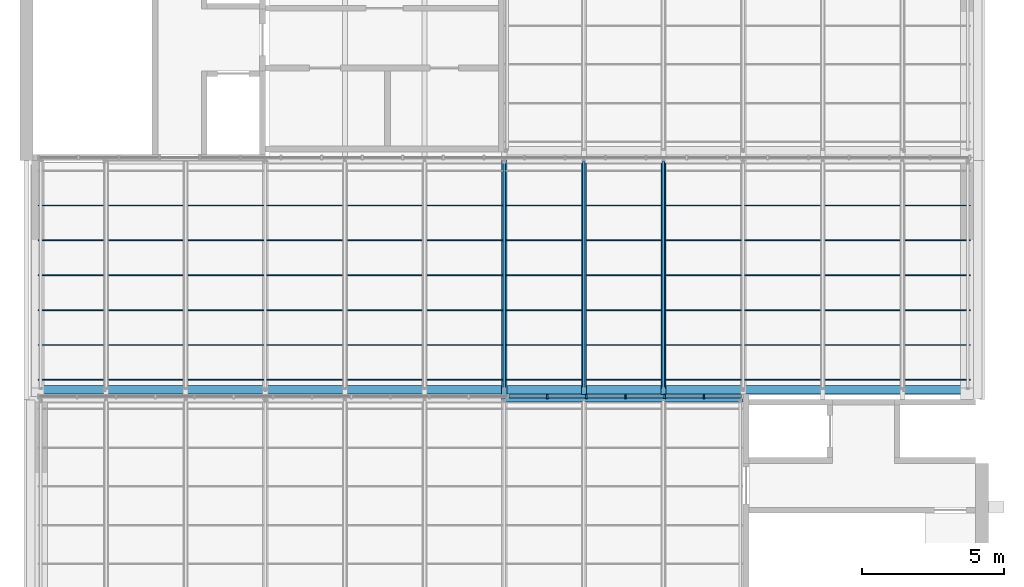
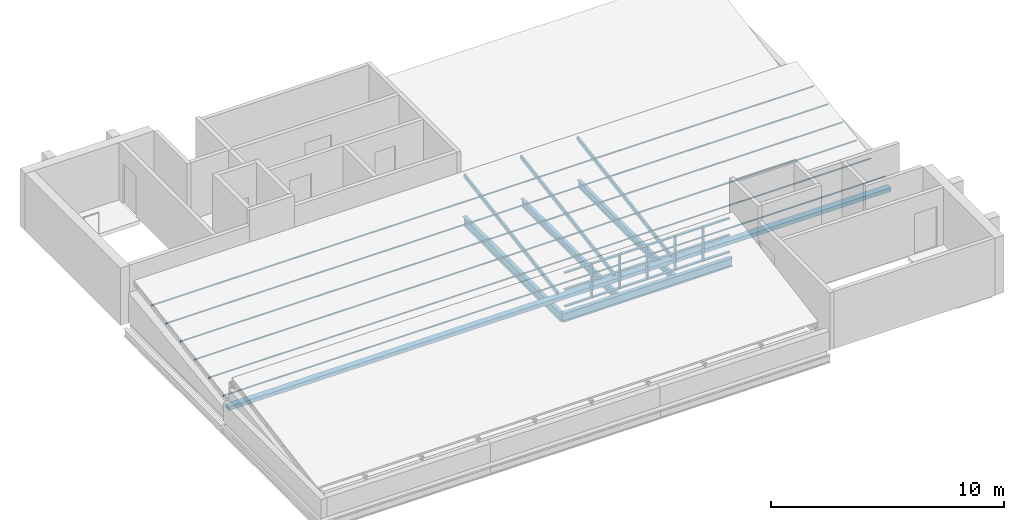
# One storey, part 5 of 33: 33 members, 4 beams, 1 element without a shape of its own.
"""IFC4 building model written with IfcOpenShell, lengths in metres."""

from ifc_helpers import new_model, si_unit, direction, frame, origin, origin_2d, place, context, subcontext, project, spatial, rectangle, hollow_rectangle, i_section, extrude, material, layer, layer_set, material_profile, profile_set, type_object, element, aggregate, save


model = new_model("IFC4")

# Units and contexts
model_context = context("Model", 3, precision=1e-05, world=origin(), true_north=direction((0.0, 1.0)))
body_context = subcontext(model_context, "Body", "Model", "MODEL_VIEW")
ifc_project = project(units=[si_unit("LENGTHUNIT", "METRE"), si_unit("AREAUNIT", "SQUARE_METRE"), si_unit("VOLUMEUNIT", "CUBIC_METRE"), si_unit("PLANEANGLEUNIT", "RADIAN"), si_unit("MASSUNIT", "GRAM", prefix="KILO")], contexts=[model_context])

# Site, building, storey
site_placement = place(None, origin())
site = spatial("IfcSite", under=ifc_project, at=site_placement, CompositionType="ELEMENT")
building_placement = place(site_placement, origin())
building = spatial("IfcBuilding", under=site, at=building_placement, Name="Ardhachandra Cancer Care Centre", CompositionType="ELEMENT")
storey_placement = place(building_placement, frame((0.0, 0.0, 27.0)))
storey = spatial("IfcBuildingStorey", under=building, at=storey_placement, Name="Roof", CompositionType="ELEMENT", Elevation=27.0)

# Beams
ifc_material_1 = material(Name="Steel E350 (IS 2062)", Category="steel")
ifc_material_profile_1 = material_profile(ifc_material_1, i_section(OverallWidth=0.172119140625, OverallDepth=0.364013671875, WebThickness=0.00927734375, FlangeThickness=0.0146484375, FilletRadius=0.01806640625, at=origin_2d()), Name="NPB 350x170x66.04")
ifc_profile_set_1 = profile_set([ifc_material_profile_1], Name="Steel E350 (IS 2062)")
beam_type_1 = type_object("IfcBeamType", Name="Beam NPB 350x170x66.04", PredefinedType="BEAM", material=ifc_profile_set_1)
for number, where, z_axis, x_axis, name in (
    (1, (131.199951171875, 88.2958984375, -0.382080078125), (0.0, 1.0, 0.0), (-1.0, 0.0, 0.0), "Secondary K15-L15@2800"),
    (2, (134.0, 88.2958984375, -0.382080078125), (0.0, 1.0, 0.0), (-1.0, 0.0, 0.0), "Secondary K15-L15@5600"),
):
    element("IfcBeam", number, at=place(storey_placement, frame(where, z_axis=z_axis, x_axis=x_axis)), inside=storey, type_object=beam_type_1, Name=name, PredefinedType="BEAM", context=body_context, shape_type="SweptSolid", body=[
        extrude(i_section(OverallWidth=0.172119140625, OverallDepth=0.364013671875, WebThickness=0.00927734375, FlangeThickness=0.0146484375, FilletRadius=0.01806640625, at=origin_2d()), origin(), (0.0, 0.0, 1.0), 8.2080078125),
    ])
ifc_material_2 = material(Name="Steel E350 (IS 2062)", Category="steel")
ifc_material_profile_2 = material_profile(ifc_material_2, i_section(OverallWidth=0.19189453125, OverallDepth=0.4560546875, WebThickness=0.010986328125, FlangeThickness=0.017578125, FilletRadius=0.02099609375, at=origin_2d()), Name="NPB 450x190x92.36")
ifc_profile_set_2 = profile_set([ifc_material_profile_2], Name="Steel E350 (IS 2062)")
beam_type_2 = type_object("IfcBeamType", Name="Beam NPB 450x190x92.36", PredefinedType="BEAM", material=ifc_profile_set_2)
for number, where, z_axis, x_axis, name in (
    (3, (128.39990234375, 88.199951171875, -0.427978515625), (1.0, 0.0, 0.0), (0.0, 1.0, 0.0), "Girder K15-K16"),
    (4, (128.39990234375, 88.199951171875, -0.427978515625), (0.0, 1.0, 0.0), (-1.0, 0.0, 0.0), "Girder K15-L15"),
):
    element("IfcBeam", number, at=place(storey_placement, frame(where, z_axis=z_axis, x_axis=x_axis)), inside=storey, type_object=beam_type_2, Name=name, PredefinedType="BEAM", context=body_context, shape_type="SweptSolid", body=[
        extrude(i_section(OverallWidth=0.19189453125, OverallDepth=0.4560546875, WebThickness=0.010986328125, FlangeThickness=0.017578125, FilletRadius=0.02099609375, at=origin_2d()), origin(), (0.0, 0.0, 1.0), 8.400146484375),
    ])

# Curtain wall, members
ifc_material_3 = material(Name="Aluminium extrusion", Category="aluminium")
ifc_layer = layer(ifc_material_3, 0.14990234375)
ifc_layer_set = layer_set([ifc_layer], Name="Aluminium extrusion")
curtain_wall_type = type_object("IfcCurtainWallType", Name="Curtain wall run", PredefinedType="NOTDEFINED", material=ifc_layer_set)
curtain_wall_placement = place(storey_placement, origin())
curtain_wall = element("IfcCurtainWall", 5, at=curtain_wall_placement, inside=storey, type_object=curtain_wall_type, Name="Curtain wall Roof n/0112000_0088300", PredefinedType="NOTDEFINED")
ifc_material_4 = material(Name="Aluminium extrusion", Category="aluminium")
ifc_material_profile_3 = material_profile(ifc_material_4, rectangle(XDim=0.159912109375, YDim=0.06005859375, at=origin_2d()), Name="Curtain wall mullion 60 x 160")
ifc_profile_set_3 = profile_set([ifc_material_profile_3], Name="Aluminium extrusion")
member_type_1 = type_object("IfcMemberType", Name="Curtain wall mullion 60 x 160", PredefinedType="MULLION", material=ifc_profile_set_3)
member_1_placement = place(storey_placement, frame((129.9111328125, 88.300048828125, 0.0), z_axis=(0.0, 0.0, 1.0), x_axis=(0.0, 1.0, 0.0)))
member_1 = element("IfcMember", 6, at=member_1_placement, type_object=member_type_1, Name="CW mullion 14", PredefinedType="MULLION", context=body_context, shape_type="SweptSolid", body=[
    extrude(rectangle(XDim=0.159912109375, YDim=0.06005859375, at=origin_2d()), origin(), (0.0, 0.0, 1.0), 1.820068359375),
])
member_2_placement = place(storey_placement, frame((131.288818359375, 88.300048828125, 0.0), z_axis=(0.0, 0.0, 1.0), x_axis=(0.0, 1.0, 0.0)))
member_2 = element("IfcMember", 7, at=member_2_placement, type_object=member_type_1, Name="CW mullion 15", PredefinedType="MULLION", context=body_context, shape_type="SweptSolid", body=[
    extrude(rectangle(XDim=0.159912109375, YDim=0.06005859375, at=origin_2d()), origin(), (0.0, 0.0, 1.0), 1.820068359375),
])
member_3_placement = place(storey_placement, frame((132.666748046875, 88.300048828125, 0.0), z_axis=(0.0, 0.0, 1.0), x_axis=(0.0, 1.0, 0.0)))
member_3 = element("IfcMember", 8, at=member_3_placement, type_object=member_type_1, Name="CW mullion 16", PredefinedType="MULLION", context=body_context, shape_type="SweptSolid", body=[
    extrude(rectangle(XDim=0.159912109375, YDim=0.06005859375, at=origin_2d()), origin(), (0.0, 0.0, 1.0), 1.820068359375),
])
member_4_placement = place(storey_placement, frame((134.04443359375, 88.300048828125, 0.0), z_axis=(0.0, 0.0, 1.0), x_axis=(0.0, 1.0, 0.0)))
member_4 = element("IfcMember", 9, at=member_4_placement, type_object=member_type_1, Name="CW mullion 17", PredefinedType="MULLION", context=body_context, shape_type="SweptSolid", body=[
    extrude(rectangle(XDim=0.159912109375, YDim=0.06005859375, at=origin_2d()), origin(), (0.0, 0.0, 1.0), 1.820068359375),
])
member_5_placement = place(storey_placement, frame((135.422119140625, 88.300048828125, 0.0), z_axis=(0.0, 0.0, 1.0), x_axis=(0.0, 1.0, 0.0)))
member_5 = element("IfcMember", 10, at=member_5_placement, type_object=member_type_1, Name="CW mullion 18", PredefinedType="MULLION", context=body_context, shape_type="SweptSolid", body=[
    extrude(rectangle(XDim=0.159912109375, YDim=0.06005859375, at=origin_2d()), origin(), (0.0, 0.0, 1.0), 1.820068359375),
])
ifc_material_5 = material(Name="Aluminium extrusion", Category="aluminium")
ifc_material_profile_4 = material_profile(ifc_material_5, rectangle(XDim=0.1201171875, YDim=0.06005859375, at=origin_2d()), Name="Curtain wall transom 60 x 120")
ifc_profile_set_4 = profile_set([ifc_material_profile_4], Name="Aluminium extrusion")
member_type_2 = type_object("IfcMemberType", Name="Curtain wall transom 60 x 120", PredefinedType="USERDEFINED", material=ifc_profile_set_4)
member_6_placement = place(storey_placement, frame((128.563232421875, 88.300048828125, 0.030029296875), z_axis=(1.0, 0.0, 0.0), x_axis=(0.0, 1.0, 0.0)))
member_6 = element("IfcMember", 11, at=member_6_placement, type_object=member_type_2, Name="CW transom 13.1", ObjectType="TRANSOM", PredefinedType="USERDEFINED", context=body_context, shape_type="SweptSolid", body=[
    extrude(rectangle(XDim=0.1201171875, YDim=0.06005859375, at=origin_2d()), origin(), (0.0, 0.0, 1.0), 1.31787109375),
])
member_7_placement = place(storey_placement, frame((128.563232421875, 88.300048828125, 0.909912109375), z_axis=(1.0, 0.0, 0.0), x_axis=(0.0, 1.0, 0.0)))
member_7 = element("IfcMember", 12, at=member_7_placement, type_object=member_type_2, Name="CW transom 13.2", ObjectType="TRANSOM", PredefinedType="USERDEFINED", context=body_context, shape_type="SweptSolid", body=[
    extrude(rectangle(XDim=0.1201171875, YDim=0.06005859375, at=origin_2d()), origin(), (0.0, 0.0, 1.0), 1.31787109375),
])
member_8_placement = place(storey_placement, frame((128.563232421875, 88.300048828125, 1.7900390625), z_axis=(1.0, 0.0, 0.0), x_axis=(0.0, 1.0, 0.0)))
member_8 = element("IfcMember", 13, at=member_8_placement, type_object=member_type_2, Name="CW transom 13.3", ObjectType="TRANSOM", PredefinedType="USERDEFINED", context=body_context, shape_type="SweptSolid", body=[
    extrude(rectangle(XDim=0.1201171875, YDim=0.06005859375, at=origin_2d()), origin(), (0.0, 0.0, 1.0), 1.31787109375),
])
member_9_placement = place(storey_placement, frame((129.941162109375, 88.300048828125, 0.030029296875), z_axis=(1.0, 0.0, 0.0), x_axis=(0.0, 1.0, 0.0)))
member_9 = element("IfcMember", 14, at=member_9_placement, type_object=member_type_2, Name="CW transom 14.1", ObjectType="TRANSOM", PredefinedType="USERDEFINED", context=body_context, shape_type="SweptSolid", body=[
    extrude(rectangle(XDim=0.1201171875, YDim=0.06005859375, at=origin_2d()), origin(), (0.0, 0.0, 1.0), 1.317626953125),
])
member_10_placement = place(storey_placement, frame((129.941162109375, 88.300048828125, 0.909912109375), z_axis=(1.0, 0.0, 0.0), x_axis=(0.0, 1.0, 0.0)))
member_10 = element("IfcMember", 15, at=member_10_placement, type_object=member_type_2, Name="CW transom 14.2", ObjectType="TRANSOM", PredefinedType="USERDEFINED", context=body_context, shape_type="SweptSolid", body=[
    extrude(rectangle(XDim=0.1201171875, YDim=0.06005859375, at=origin_2d()), origin(), (0.0, 0.0, 1.0), 1.317626953125),
])
member_11_placement = place(storey_placement, frame((129.941162109375, 88.300048828125, 1.7900390625), z_axis=(1.0, 0.0, 0.0), x_axis=(0.0, 1.0, 0.0)))
member_11 = element("IfcMember", 16, at=member_11_placement, type_object=member_type_2, Name="CW transom 14.3", ObjectType="TRANSOM", PredefinedType="USERDEFINED", context=body_context, shape_type="SweptSolid", body=[
    extrude(rectangle(XDim=0.1201171875, YDim=0.06005859375, at=origin_2d()), origin(), (0.0, 0.0, 1.0), 1.317626953125),
])
member_12_placement = place(storey_placement, frame((131.31884765625, 88.300048828125, 0.030029296875), z_axis=(1.0, 0.0, 0.0), x_axis=(0.0, 1.0, 0.0)))
member_12 = element("IfcMember", 17, at=member_12_placement, type_object=member_type_2, Name="CW transom 15.1", ObjectType="TRANSOM", PredefinedType="USERDEFINED", context=body_context, shape_type="SweptSolid", body=[
    extrude(rectangle(XDim=0.1201171875, YDim=0.06005859375, at=origin_2d()), origin(), (0.0, 0.0, 1.0), 1.31787109375),
])
member_13_placement = place(storey_placement, frame((131.31884765625, 88.300048828125, 0.909912109375), z_axis=(1.0, 0.0, 0.0), x_axis=(0.0, 1.0, 0.0)))
member_13 = element("IfcMember", 18, at=member_13_placement, type_object=member_type_2, Name="CW transom 15.2", ObjectType="TRANSOM", PredefinedType="USERDEFINED", context=body_context, shape_type="SweptSolid", body=[
    extrude(rectangle(XDim=0.1201171875, YDim=0.06005859375, at=origin_2d()), origin(), (0.0, 0.0, 1.0), 1.31787109375),
])
member_14_placement = place(storey_placement, frame((131.31884765625, 88.300048828125, 1.7900390625), z_axis=(1.0, 0.0, 0.0), x_axis=(0.0, 1.0, 0.0)))
member_14 = element("IfcMember", 19, at=member_14_placement, type_object=member_type_2, Name="CW transom 15.3", ObjectType="TRANSOM", PredefinedType="USERDEFINED", context=body_context, shape_type="SweptSolid", body=[
    extrude(rectangle(XDim=0.1201171875, YDim=0.06005859375, at=origin_2d()), origin(), (0.0, 0.0, 1.0), 1.31787109375),
])
member_15_placement = place(storey_placement, frame((132.69677734375, 88.300048828125, 0.030029296875), z_axis=(1.0, 0.0, 0.0), x_axis=(0.0, 1.0, 0.0)))
member_15 = element("IfcMember", 20, at=member_15_placement, type_object=member_type_2, Name="CW transom 16.1", ObjectType="TRANSOM", PredefinedType="USERDEFINED", context=body_context, shape_type="SweptSolid", body=[
    extrude(rectangle(XDim=0.1201171875, YDim=0.06005859375, at=origin_2d()), origin(), (0.0, 0.0, 1.0), 1.317626953125),
])
member_16_placement = place(storey_placement, frame((132.69677734375, 88.300048828125, 0.909912109375), z_axis=(1.0, 0.0, 0.0), x_axis=(0.0, 1.0, 0.0)))
member_16 = element("IfcMember", 21, at=member_16_placement, type_object=member_type_2, Name="CW transom 16.2", ObjectType="TRANSOM", PredefinedType="USERDEFINED", context=body_context, shape_type="SweptSolid", body=[
    extrude(rectangle(XDim=0.1201171875, YDim=0.06005859375, at=origin_2d()), origin(), (0.0, 0.0, 1.0), 1.317626953125),
])
member_17_placement = place(storey_placement, frame((132.69677734375, 88.300048828125, 1.7900390625), z_axis=(1.0, 0.0, 0.0), x_axis=(0.0, 1.0, 0.0)))
member_17 = element("IfcMember", 22, at=member_17_placement, type_object=member_type_2, Name="CW transom 16.3", ObjectType="TRANSOM", PredefinedType="USERDEFINED", context=body_context, shape_type="SweptSolid", body=[
    extrude(rectangle(XDim=0.1201171875, YDim=0.06005859375, at=origin_2d()), origin(), (0.0, 0.0, 1.0), 1.317626953125),
])
member_18_placement = place(storey_placement, frame((134.074462890625, 88.300048828125, 0.030029296875), z_axis=(1.0, 0.0, 0.0), x_axis=(0.0, 1.0, 0.0)))
member_18 = element("IfcMember", 23, at=member_18_placement, type_object=member_type_2, Name="CW transom 17.1", ObjectType="TRANSOM", PredefinedType="USERDEFINED", context=body_context, shape_type="SweptSolid", body=[
    extrude(rectangle(XDim=0.1201171875, YDim=0.06005859375, at=origin_2d()), origin(), (0.0, 0.0, 1.0), 1.31787109375),
])
member_19_placement = place(storey_placement, frame((134.074462890625, 88.300048828125, 0.909912109375), z_axis=(1.0, 0.0, 0.0), x_axis=(0.0, 1.0, 0.0)))
member_19 = element("IfcMember", 24, at=member_19_placement, type_object=member_type_2, Name="CW transom 17.2", ObjectType="TRANSOM", PredefinedType="USERDEFINED", context=body_context, shape_type="SweptSolid", body=[
    extrude(rectangle(XDim=0.1201171875, YDim=0.06005859375, at=origin_2d()), origin(), (0.0, 0.0, 1.0), 1.31787109375),
])
member_20_placement = place(storey_placement, frame((134.074462890625, 88.300048828125, 1.7900390625), z_axis=(1.0, 0.0, 0.0), x_axis=(0.0, 1.0, 0.0)))
member_20 = element("IfcMember", 25, at=member_20_placement, type_object=member_type_2, Name="CW transom 17.3", ObjectType="TRANSOM", PredefinedType="USERDEFINED", context=body_context, shape_type="SweptSolid", body=[
    extrude(rectangle(XDim=0.1201171875, YDim=0.06005859375, at=origin_2d()), origin(), (0.0, 0.0, 1.0), 1.31787109375),
])
member_21_placement = place(storey_placement, frame((135.4521484375, 88.300048828125, 0.030029296875), z_axis=(1.0, 0.0, 0.0), x_axis=(0.0, 1.0, 0.0)))
member_21 = element("IfcMember", 26, at=member_21_placement, type_object=member_type_2, Name="CW transom 18.1", ObjectType="TRANSOM", PredefinedType="USERDEFINED", context=body_context, shape_type="SweptSolid", body=[
    extrude(rectangle(XDim=0.1201171875, YDim=0.06005859375, at=origin_2d()), origin(), (0.0, 0.0, 1.0), 1.287841796875),
])
member_22_placement = place(storey_placement, frame((135.4521484375, 88.300048828125, 0.909912109375), z_axis=(1.0, 0.0, 0.0), x_axis=(0.0, 1.0, 0.0)))
member_22 = element("IfcMember", 27, at=member_22_placement, type_object=member_type_2, Name="CW transom 18.2", ObjectType="TRANSOM", PredefinedType="USERDEFINED", context=body_context, shape_type="SweptSolid", body=[
    extrude(rectangle(XDim=0.1201171875, YDim=0.06005859375, at=origin_2d()), origin(), (0.0, 0.0, 1.0), 1.287841796875),
])
member_23_placement = place(storey_placement, frame((135.4521484375, 88.300048828125, 1.7900390625), z_axis=(1.0, 0.0, 0.0), x_axis=(0.0, 1.0, 0.0)))
member_23 = element("IfcMember", 28, at=member_23_placement, type_object=member_type_2, Name="CW transom 18.3", ObjectType="TRANSOM", PredefinedType="USERDEFINED", context=body_context, shape_type="SweptSolid", body=[
    extrude(rectangle(XDim=0.1201171875, YDim=0.06005859375, at=origin_2d()), origin(), (0.0, 0.0, 1.0), 1.287841796875),
])
aggregate(curtain_wall, [member_1, member_2, member_3, member_4, member_5, member_6, member_7, member_8, member_9, member_10, member_11, member_12, member_13, member_14, member_15, member_16, member_17, member_18, member_19, member_20, member_21, member_22, member_23])

# Members
ifc_material_6 = material(Name="Steel E350 (IS 2062)", Category="steel")
ifc_material_profile_5 = material_profile(ifc_material_6, hollow_rectangle(XDim=0.0400390625, YDim=0.080078125, WallThickness=0.00390625, InnerFilletRadius=0.00390625, OuterFilletRadius=0.008056640625, at=origin_2d()), Name="RHS 80x40x4.0")
ifc_profile_set_5 = profile_set([ifc_material_profile_5], Name="Steel E350 (IS 2062)")
member_type_3 = type_object("IfcMemberType", Name="Roof purlin RHS 80x40x4.0", PredefinedType="PURLIN", material=ifc_profile_set_5)
for number, where, z_axis, x_axis, name in (
    (29, (112.0, 88.880859375, 0.78955078125), (1.0, 0.0, 0.0), (0.0, 0.986659291142, 0.162798781332), "Purlin ST2a.1"),
    (30, (112.0, 90.107666015625, 0.991943359375), (1.0, 0.0, 0.0), (0.0, 0.986659291142, 0.162798781332), "Purlin ST2a.2"),
    (31, (112.0, 91.334228515625, 1.1943359375), (1.0, 0.0, 0.0), (0.0, 0.986659291142, 0.162798781332), "Purlin ST2a.3"),
    (32, (112.0, 92.56103515625, 1.396728515625), (1.0, 0.0, 0.0), (0.0, 0.986659291142, 0.162798781332), "Purlin ST2a.4"),
    (33, (112.0, 93.78759765625, 1.59912109375), (1.0, 0.0, 0.0), (0.0, 0.986659291142, 0.162798781332), "Purlin ST2a.5"),
    (34, (112.0, 95.01416015625, 1.801513671875), (1.0, 0.0, 0.0), (0.0, 0.986659291142, 0.162798781332), "Purlin ST2a.6"),
):
    element("IfcMember", number, at=place(storey_placement, frame(where, z_axis=z_axis, x_axis=x_axis)), inside=storey, type_object=member_type_3, Name=name, PredefinedType="PURLIN", context=body_context, shape_type="SweptSolid", body=[
        extrude(hollow_rectangle(XDim=0.0400390625, YDim=0.080078125, WallThickness=0.00390625, InnerFilletRadius=0.00390625, OuterFilletRadius=0.008056640625, at=origin_2d()), origin(), (0.0, 0.0, 1.0), 32.800048828125),
    ])
ifc_material_7 = material(Name="Steel E350 (IS 2062)", Category="steel")
ifc_material_profile_6 = material_profile(ifc_material_7, hollow_rectangle(XDim=0.10009765625, YDim=0.199951171875, WallThickness=0.006103515625, InnerFilletRadius=0.006103515625, OuterFilletRadius=0.011962890625, at=origin_2d()), Name="RHS 200x100x6.0")
ifc_profile_set_6 = profile_set([ifc_material_profile_6], Name="Steel E350 (IS 2062)")
member_type_4 = type_object("IfcMemberType", Name="Roof rafter RHS 200x100x6.0", PredefinedType="RAFTER", material=ifc_profile_set_6)
for number, where, z_axis, x_axis, name in (
    (35, (128.39990234375, 88.583740234375, 0.5986328125), (0.0, 0.986657936602, 0.162806990454), (-1.0, 0.0, 0.0), "Rafter ST2a.7"),
    (36, (131.199951171875, 88.583740234375, 0.5986328125), (0.0, 0.986657936602, 0.162806990454), (-1.0, 0.0, 0.0), "Rafter ST2a.8"),
    (37, (134.0, 88.583740234375, 0.5986328125), (0.0, 0.986657936602, 0.162806990454), (-1.0, 0.0, 0.0), "Rafter ST2a.9"),
):
    element("IfcMember", number, at=place(storey_placement, frame(where, z_axis=z_axis, x_axis=x_axis)), inside=storey, type_object=member_type_4, Name=name, PredefinedType="RAFTER", context=body_context, shape_type="SweptSolid", body=[
        extrude(hollow_rectangle(XDim=0.10009765625, YDim=0.199951171875, WallThickness=0.006103515625, InnerFilletRadius=0.006103515625, OuterFilletRadius=0.011962890625, at=origin_2d()), origin(), (0.0, 0.0, 1.0), 8.108154296875),
    ])
ifc_material_8 = material(Name="Stainless steel sheet gutter on galvanised steel cradle", Category="steel")
ifc_material_profile_7 = material_profile(ifc_material_8, rectangle(XDim=0.300048828125, YDim=0.199951171875, at=origin_2d()), Name="Valley gutter 300 x 200")
ifc_profile_set_7 = profile_set([ifc_material_profile_7], Name="Stainless steel sheet gutter on galvanised steel cradle")
member_type_5 = type_object("IfcMemberType", Name="Valley gutter 300 x 200", PredefinedType="USERDEFINED", material=ifc_profile_set_7)
member_24_placement = place(storey_placement, frame((112.0, 88.5400390625, 0.39990234375), z_axis=(1.0, 0.0, 0.0), x_axis=(0.0, 1.0, 0.0)))
element("IfcMember", 38, at=member_24_placement, inside=storey, type_object=member_type_5, Name="Valley gutter ST2a", ObjectType="GUTTER", PredefinedType="USERDEFINED", context=body_context, shape_type="SweptSolid", body=[
    extrude(rectangle(XDim=0.300048828125, YDim=0.199951171875, at=origin_2d()), origin(), (0.0, 0.0, 1.0), 32.800048828125),
])

save(model, "model.ifc")
